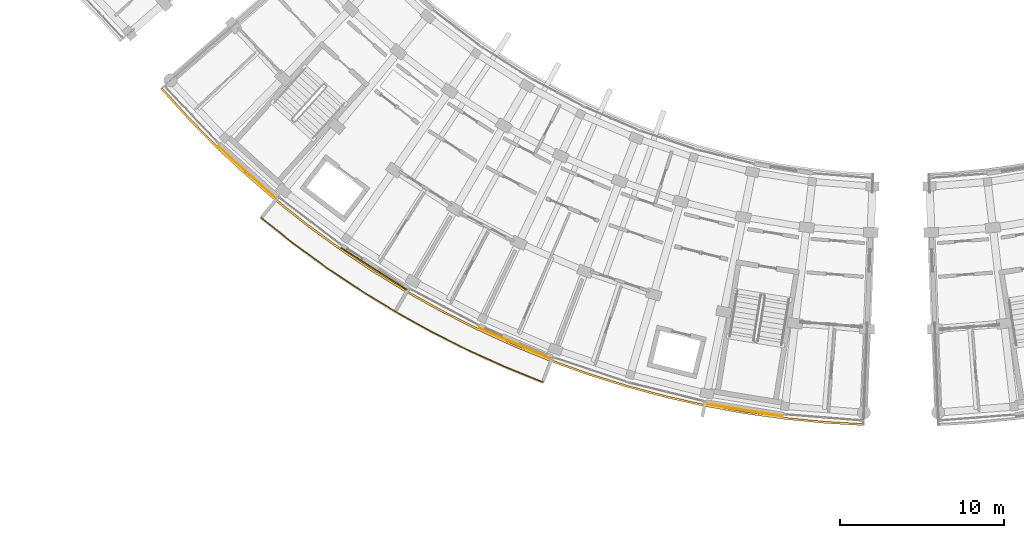
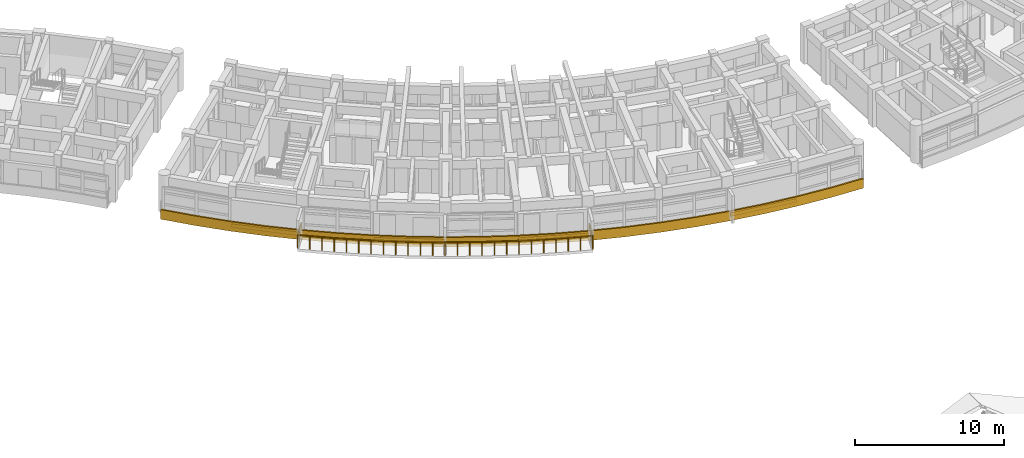
# One storey, part 57 of 70: 4 coverings, 2 railings.
"""IFC4 building model written with IfcOpenShell, lengths in metres."""

from ifc_helpers import new_model, si_unit, direction, frame, origin, origin_2d, place, context, subcontext, project, spatial, polyline, rectangle, circle, outline, extrude, material, layer, layer_set, type_object, element, save


model = new_model("IFC4")

# Units and contexts
model_context = context("Model", 3, precision=1e-05, world=origin(), true_north=direction((0.0, 1.0)))
body_context = subcontext(model_context, "Body", "Model", "MODEL_VIEW")
ifc_project = project(units=[si_unit("LENGTHUNIT", "METRE"), si_unit("AREAUNIT", "SQUARE_METRE"), si_unit("VOLUMEUNIT", "CUBIC_METRE"), si_unit("PLANEANGLEUNIT", "RADIAN"), si_unit("MASSUNIT", "GRAM", prefix="KILO")], contexts=[model_context])

# Site, building, storey
site_placement = place(None, origin())
site = spatial("IfcSite", under=ifc_project, at=site_placement, CompositionType="ELEMENT")
building_placement = place(site_placement, origin())
building = spatial("IfcBuilding", under=site, at=building_placement, Name="Zimvara Arc Housing Community", CompositionType="ELEMENT")
storey_placement = place(building_placement, frame((0.0, 0.0, 8.10009765625)))
storey = spatial("IfcBuildingStorey", under=building, at=storey_placement, Name="L02", CompositionType="ELEMENT", Elevation=8.10009765625)

# Coverings
ifc_material_1 = material(Name="Pale-Gold Anodised Aluminium Cladding", Category="aluminium")
ifc_layer_1 = layer(ifc_material_1, 0.0400390625)
ifc_layer_set_1 = layer_set([ifc_layer_1], Name="Pale-Gold Anodised Aluminium Cladding")
covering_type_1 = type_object("IfcCoveringType", Name="CLD-GOLD-01", PredefinedType="CLADDING", material=ifc_layer_set_1)
covering_1_placement = place(storey_placement, frame((116.451904296875, 51.162353515625, 0.009765625), z_axis=(0.0, 0.0, 1.0), x_axis=(0.987080395872, -0.160225753504, 0.0)))
element("IfcCovering", 1, at=covering_1_placement, inside=storey, type_object=covering_type_1, Name="cld:blkC:L02:out:b8", PredefinedType="CLADDING", context=body_context, shape_type="SweptSolid", body=[
    extrude(rectangle(XDim=4.748779296875, YDim=0.0400390625, at=origin_2d()), origin(), (0.0, 0.0, 1.0), 0.300048828125),
])
ifc_material_2 = material(Name="Pale-Gold Anodised Aluminium Cladding", Category="aluminium")
ifc_layer_2 = layer(ifc_material_2, 0.044921875)
ifc_layer_set_2 = layer_set([ifc_layer_2], Name="Pale-Gold Anodised Aluminium Cladding")
covering_type_2 = type_object("IfcCoveringType", Name="CLD-GOLD-02", PredefinedType="CLADDING", material=ifc_layer_set_2)
for number, where, z_axis, x_axis, name in (
    (2, (86.1875, 65.635009765625, 0.009765625), (0.0, 0.0, 1.0), (0.74337718344, -0.668872456557, 0.0), "cld:blkC:L02:out:b1"),
    (3, (102.49169921875, 55.2158203125, 0.009765625), (0.0, 0.0, 1.0), (0.918721611116, -0.394905813161, 0.0), "cld:blkC:L02:out:b5"),
):
    element("IfcCovering", number, at=place(storey_placement, frame(where, z_axis=z_axis, x_axis=x_axis)), inside=storey, type_object=covering_type_2, Name=name, PredefinedType="CLADDING", context=body_context, shape_type="SweptSolid", body=[
        extrude(rectangle(XDim=4.748779296875, YDim=0.044921875, at=origin_2d()), origin(), (0.0, 0.0, 1.0), 0.300048828125),
    ])
ifc_material_3 = material(Name="Pale-Gold Anodised Aluminium Cladding", Category="aluminium")
ifc_layer_3 = layer(ifc_material_3, 0.054931640625)
ifc_layer_set_3 = layer_set([ifc_layer_3], Name="Pale-Gold Anodised Aluminium Cladding")
covering_type_3 = type_object("IfcCoveringType", Name="CLD-GOLD-04", PredefinedType="CLADDING", material=ifc_layer_set_3)
covering_2_placement = place(storey_placement, frame((93.92138671875, 59.769775390625, 0.009765625), z_axis=(0.0, 0.0, 1.0), x_axis=(0.842265220048, -0.53906335351, 0.0)))
element("IfcCovering", 4, at=covering_2_placement, inside=storey, type_object=covering_type_3, Name="cld:blkC:L02:out:b3", PredefinedType="CLADDING", context=body_context, shape_type="SweptSolid", body=[
    extrude(rectangle(XDim=4.748779296875, YDim=0.054931640625, at=origin_2d()), origin(), (0.0, 0.0, 1.0), 0.300048828125),
])

# Railings
ifc_material_4 = material(Name="Anodised Aluminium AW-6063", Category="aluminium")
railing_type_1 = type_object("IfcRailingType", Name="RLG-BAL-1120", PredefinedType="BALUSTRADE", material=ifc_material_4)
railing_1_placement = place(storey_placement, frame((87.9892578125, 64.00244140625, 0.0)))
element("IfcRailing", 5, at=railing_1_placement, inside=storey, type_object=railing_type_1, Name="rlg:blkC:L02:bal_out_guard", PredefinedType="BALUSTRADE", context=body_context, shape_type="SweptSolid", body=[
    extrude(circle(Radius=0.02392578125, at=origin_2d()), frame((0.0, 0.0, 1.09619140625), z_axis=(-0.637910943987, -0.770110139877, 0.0), x_axis=(0.770110139877, -0.637910943987, 0.0)), (0.0, 0.0, 1.0), 1.469970703125),
    extrude(circle(Radius=0.02392578125, at=origin_2d()), frame((-0.937744140625, -1.132080078125, 1.09619140625), z_axis=(0.782995761949, -0.622027038616, 0.0), x_axis=(0.622027038616, 0.782995761949, 0.0)), (0.0, 0.0, 1.0), 2.491943359375),
    extrude(circle(Radius=0.02392578125, at=origin_2d()), frame((1.013427734375, -2.68212890625, 1.09619140625), z_axis=(0.807645933057, -0.58966774273, 0.0), x_axis=(0.58966774273, 0.807645933057, 0.0)), (0.0, 0.0, 1.0), 2.491943359375),
    extrude(circle(Radius=0.02392578125, at=origin_2d()), frame((3.026123046875, -4.151611328125, 1.09619140625), z_axis=(0.831084288939, -0.556146477719, 0.0), x_axis=(0.556146477719, 0.831084288939, 0.0)), (0.0, 0.0, 1.0), 2.49169921875),
    extrude(circle(Radius=0.02392578125, at=origin_2d()), frame((5.096923828125, -5.537353515625, 1.09619140625), z_axis=(0.85308804422, -0.521766987083, 0.0), x_axis=(0.521766987083, 0.85308804422, 0.0)), (0.0, 0.0, 1.0), 2.4921875),
    extrude(circle(Radius=0.02392578125, at=origin_2d()), frame((7.222900390625, -6.837646484375, 1.09619140625), z_axis=(0.873694706728, -0.48647462363, 0.0), x_axis=(0.48647462363, 0.873694706728, 0.0)), (0.0, 0.0, 1.0), 2.49169921875),
    extrude(circle(Radius=0.02392578125, at=origin_2d()), frame((9.39990234375, -8.0498046875, 1.09619140625), z_axis=(0.892794985218, -0.450463221994, 0.0), x_axis=(0.450463221994, 0.892794985218, 0.0)), (0.0, 0.0, 1.0), 2.491943359375),
    extrude(circle(Radius=0.02392578125, at=origin_2d()), frame((11.624755859375, -9.17236328125, 1.09619140625), z_axis=(0.910497277135, -0.413515064212, 0.0), x_axis=(0.413515064212, 0.910497277135, 0.0)), (0.0, 0.0, 1.0), 2.4921875),
    extrude(circle(Radius=0.02392578125, at=origin_2d()), frame((13.893798828125, -10.202880859375, 1.09619140625), z_axis=(0.926599979092, -0.376048505843, 0.0), x_axis=(0.376048505843, 0.926599979092, 0.0)), (0.0, 0.0, 1.0), 2.49169921875),
    extrude(circle(Radius=0.02392578125, at=origin_2d()), frame((16.20263671875, -11.139892578125, 1.09619140625), z_axis=(0.357086323574, 0.934071387805, 0.0), x_axis=(-0.934071387805, 0.357086323574, 0.0)), (0.0, 0.0, 1.0), 1.469970703125),
    extrude(circle(Radius=0.02099609375, at=origin_2d()), origin(), (0.0, 0.0, 1.0), 1.072021484375),
    extrude(circle(Radius=0.02099609375, at=origin_2d()), frame((-0.46875, -0.56591796875, 0.0)), (0.0, 0.0, 1.0), 1.072021484375),
    extrude(circle(Radius=0.02099609375, at=origin_2d()), frame((-0.937744140625, -1.132080078125, 0.0)), (0.0, 0.0, 1.0), 1.072021484375),
    extrude(circle(Radius=0.02099609375, at=origin_2d()), frame((-0.287353515625, -1.648681640625, 0.0)), (0.0, 0.0, 1.0), 1.072021484375),
    extrude(circle(Radius=0.02099609375, at=origin_2d()), frame((0.363037109375, -2.16552734375, 0.0)), (0.0, 0.0, 1.0), 1.072021484375),
    extrude(circle(Radius=0.02099609375, at=origin_2d()), frame((1.013427734375, -2.68212890625, 0.0)), (0.0, 0.0, 1.0), 1.072021484375),
    extrude(circle(Radius=0.02099609375, at=origin_2d()), frame((1.684326171875, -3.171875, 0.0)), (0.0, 0.0, 1.0), 1.072021484375),
    extrude(circle(Radius=0.02099609375, at=origin_2d()), frame((2.355224609375, -3.661865234375, 0.0)), (0.0, 0.0, 1.0), 1.072021484375),
    extrude(circle(Radius=0.02099609375, at=origin_2d()), frame((3.026123046875, -4.151611328125, 0.0)), (0.0, 0.0, 1.0), 1.072021484375),
    extrude(circle(Radius=0.02099609375, at=origin_2d()), frame((3.71630859375, -4.613525390625, 0.0)), (0.0, 0.0, 1.0), 1.072021484375),
    extrude(circle(Radius=0.02099609375, at=origin_2d()), frame((4.40673828125, -5.075439453125, 0.0)), (0.0, 0.0, 1.0), 1.072021484375),
    extrude(circle(Radius=0.02099609375, at=origin_2d()), frame((5.096923828125, -5.537353515625, 0.0)), (0.0, 0.0, 1.0), 1.072021484375),
    extrude(circle(Radius=0.02099609375, at=origin_2d()), frame((5.8056640625, -5.970703125, 0.0)), (0.0, 0.0, 1.0), 1.072021484375),
    extrude(circle(Radius=0.02099609375, at=origin_2d()), frame((6.51416015625, -6.404296875, 0.0)), (0.0, 0.0, 1.0), 1.072021484375),
    extrude(circle(Radius=0.02099609375, at=origin_2d()), frame((7.222900390625, -6.837646484375, 0.0)), (0.0, 0.0, 1.0), 1.072021484375),
    extrude(circle(Radius=0.02099609375, at=origin_2d()), frame((7.948486328125, -7.24169921875, 0.0)), (0.0, 0.0, 1.0), 1.072021484375),
    extrude(circle(Radius=0.02099609375, at=origin_2d()), frame((8.67431640625, -7.645751953125, 0.0)), (0.0, 0.0, 1.0), 1.072021484375),
    extrude(circle(Radius=0.02099609375, at=origin_2d()), frame((9.39990234375, -8.0498046875, 0.0)), (0.0, 0.0, 1.0), 1.072021484375),
    extrude(circle(Radius=0.02099609375, at=origin_2d()), frame((10.1416015625, -8.424072265625, 0.0)), (0.0, 0.0, 1.0), 1.072021484375),
    extrude(circle(Radius=0.02099609375, at=origin_2d()), frame((10.883056640625, -8.798095703125, 0.0)), (0.0, 0.0, 1.0), 1.072021484375),
    extrude(circle(Radius=0.02099609375, at=origin_2d()), frame((11.624755859375, -9.17236328125, 0.0)), (0.0, 0.0, 1.0), 1.072021484375),
    extrude(circle(Radius=0.02099609375, at=origin_2d()), frame((12.381103515625, -9.515869140625, 0.0)), (0.0, 0.0, 1.0), 1.072021484375),
    extrude(circle(Radius=0.02099609375, at=origin_2d()), frame((13.137451171875, -9.859375, 0.0)), (0.0, 0.0, 1.0), 1.072021484375),
    extrude(circle(Radius=0.02099609375, at=origin_2d()), frame((13.893798828125, -10.202880859375, 0.0)), (0.0, 0.0, 1.0), 1.072021484375),
    extrude(circle(Radius=0.02099609375, at=origin_2d()), frame((14.663330078125, -10.51513671875, 0.0)), (0.0, 0.0, 1.0), 1.072021484375),
    extrude(circle(Radius=0.02099609375, at=origin_2d()), frame((15.43310546875, -10.82763671875, 0.0)), (0.0, 0.0, 1.0), 1.072021484375),
    extrude(circle(Radius=0.02099609375, at=origin_2d()), frame((16.20263671875, -11.139892578125, 0.0)), (0.0, 0.0, 1.0), 1.072021484375),
    extrude(circle(Radius=0.02099609375, at=origin_2d()), frame((16.465087890625, -10.453369140625, 0.0)), (0.0, 0.0, 1.0), 1.072021484375),
    extrude(circle(Radius=0.02099609375, at=origin_2d()), frame((16.7275390625, -9.766845703125, 0.0)), (0.0, 0.0, 1.0), 1.072021484375),
])
ifc_material_5 = material(Name="Pale-Gold Anodised Aluminium AW-6063", Category="aluminium")
railing_type_2 = type_object("IfcRailingType", Name="RLG-FAS-780", PredefinedType="BALUSTRADE", material=ifc_material_5)
railing_2_placement = place(storey_placement, frame((0.0, 0.0, -0.22021484375)))
element("IfcRailing", 6, at=railing_2_placement, inside=storey, type_object=railing_type_2, Name="rlg:blkC:L02:gold_out", PredefinedType="BALUSTRADE", context=body_context, shape_type="SweptSolid", body=[
    extrude(outline(polyline([(80.93896484375, 70.706298828125), (82.5751953125, 68.900146484375), (84.28369140625, 67.162109375), (86.061767578125, 65.4951171875), (87.906494140625, 63.90234375), (89.814697265625, 62.38623046875), (91.783203125, 60.94921875), (93.80859375, 59.59375), (95.8876953125, 58.322021484375), (98.01708984375, 57.136474609375), (100.193115234375, 56.03857421875), (102.412109375, 55.03076171875), (104.67041015625, 54.114013671875), (106.96435546875, 53.29052734375), (109.289794921875, 52.561279296875), (111.643310546875, 51.927734375), (114.0205078125, 51.390625), (116.417724609375, 50.950927734375), (118.830810546875, 50.60986328125), (121.256103515625, 50.3671875), (123.68896484375, 50.223876953125), (123.693603515625, 50.343994140625), (121.265625, 50.48681640625), (118.84521484375, 50.728759765625), (116.43701171875, 51.069580078125), (114.04443359375, 51.508056640625), (111.672119140625, 52.044189453125), (109.3232421875, 52.676513671875), (107.00244140625, 53.404296875), (104.71337890625, 54.226318359375), (102.45947265625, 55.140869140625), (100.244873046875, 56.14697265625), (98.0732421875, 57.242431640625), (95.9482421875, 58.42578125), (93.873291015625, 59.69482421875), (91.851806640625, 61.04736328125), (89.887451171875, 62.481689453125), (87.98291015625, 63.99462890625), (86.14208984375, 65.58447265625), (84.367431640625, 67.247802734375), (82.662353515625, 68.982421875), (81.029541015625, 70.78515625), (80.93896484375, 70.706298828125)])), origin(), (0.0, 0.0, 1.0), 0.780029296875),
])

save(model, "model.ifc")
